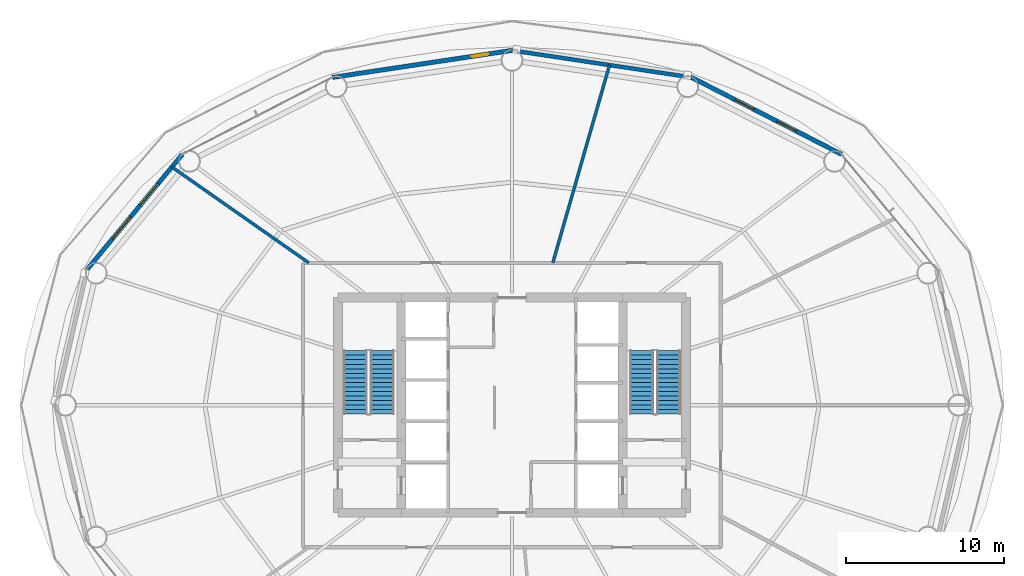
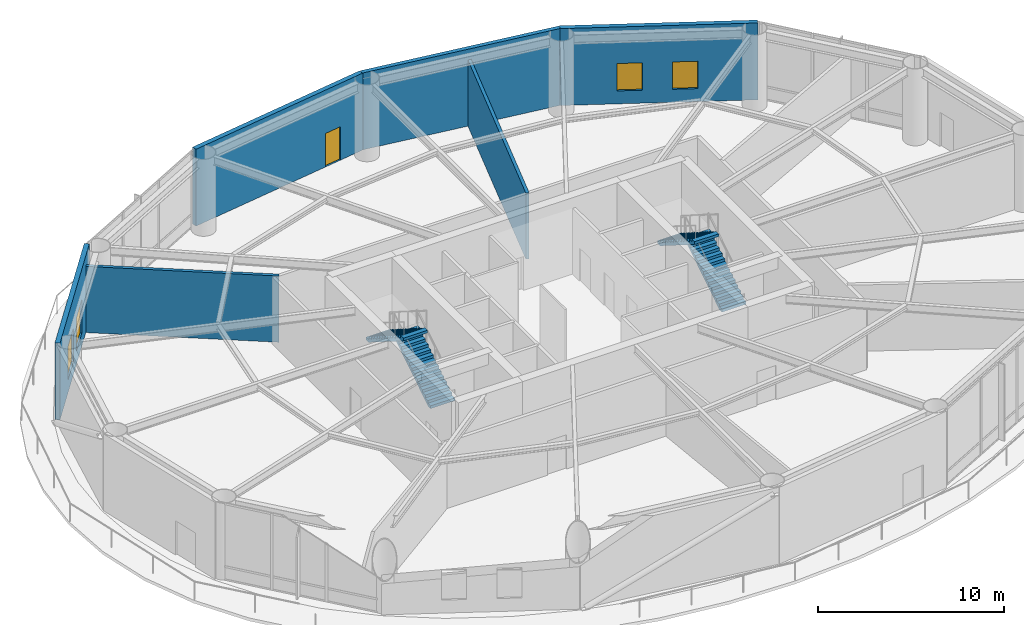
# One storey, part 22 of 25: 6 walls, 4 stair flights, 4 windows, 1 door, 5 openings, 2 elements without a shape of their own.
"""IFC4 building model written with IfcOpenShell, lengths in metres."""

from ifc_helpers import new_model, si_unit, direction, frame, frame_2d, origin, place, context, subcontext, project, spatial, polyline, rectangle, outline, extrude, material, layer, layer_set, type_object, element, fill, aggregate, save


model = new_model("IFC4")

# Units and contexts
model_context = context("Model", 3, precision=1e-05, world=origin(), true_north=direction((0.0, 1.0)))
body_context = subcontext(model_context, "Body", "Model", "MODEL_VIEW")
ifc_project = project(units=[si_unit("LENGTHUNIT", "METRE"), si_unit("AREAUNIT", "SQUARE_METRE"), si_unit("VOLUMEUNIT", "CUBIC_METRE"), si_unit("PLANEANGLEUNIT", "RADIAN"), si_unit("MASSUNIT", "GRAM", prefix="KILO")], contexts=[model_context])

# Site, building, storey
site_placement = place(None, origin())
site = spatial("IfcSite", under=ifc_project, at=site_placement, CompositionType="ELEMENT")
building_placement = place(site_placement, origin())
building = spatial("IfcBuilding", under=site, at=building_placement, Name="Sarneth Arch Tower", CompositionType="ELEMENT")
storey_placement = place(building_placement, frame((0.0, 0.0, 134.39990234375)))
storey = spatial("IfcBuildingStorey", under=building, at=storey_placement, Name="L34", CompositionType="ELEMENT", Elevation=134.39990234375)

# Walls
ifc_material_1 = material(Name="Double steel-stud corridor fire wall", Category="steel")
ifc_layer_1 = layer(ifc_material_1, 0.18994140625)
ifc_layer_set_1 = layer_set([ifc_layer_1], Name="Double steel-stud corridor fire wall")
wall_type_1 = type_object("IfcWallType", Name="WALL-CORR-190", PredefinedType="PARTITIONING", material=ifc_layer_set_1)
wall_1_placement = place(storey_placement, frame((54.165771484375, 63.502685546875, 0.0), z_axis=(0.0, 0.0, 1.0), x_axis=(-0.275628372198, -0.961264271904, 0.0)))
element("IfcWall", 1, at=wall_1_placement, inside=storey, type_object=wall_type_1, Name="L34 Interior partition W-L34-TP-014", PredefinedType="PARTITIONING", context=body_context, shape_type="SweptSolid", body=[
    extrude(rectangle(XDim=13.006591796875, YDim=0.18994140625, at=frame_2d((6.50341796875, 0.0))), origin(), (0.0, 0.0, 1.0), 4.35009765625),
])
wall_2_placement = place(storey_placement, frame((35.146728515625, 51.0, 0.0), z_axis=(0.0, 0.0, 1.0), x_axis=(-0.819150459782, 0.573578699255, 0.0)))
element("IfcWall", 2, at=wall_2_placement, inside=storey, type_object=wall_type_1, Name="L34 Interior partition W-L34-TP-015", PredefinedType="PARTITIONING", context=body_context, shape_type="SweptSolid", body=[
    extrude(rectangle(XDim=10.56103515625, YDim=0.18994140625, at=frame_2d((5.280517578125, 0.0))), origin(), (0.0, 0.0, 1.0), 4.35009765625),
])
ifc_material_2 = material(Name="Extruded terracotta rainscreen on Concrete C40/50 backing", Category="masonry")
ifc_layer_2 = layer(ifc_material_2, 0.25)
ifc_layer_set_2 = layer_set([ifc_layer_2], Name="Extruded terracotta rainscreen on Concrete C40/50 backing")
wall_type_2 = type_object("IfcWallType", Name="WALL-EXT-SPAND-250", PredefinedType="SOLIDWALL", material=ifc_layer_set_2)
wall_3_placement = place(storey_placement, frame((59.351318359375, 62.72265625, 0.0), z_axis=(0.0, 0.0, 1.0), x_axis=(-0.988877774656, 0.148730450117, 0.0)))
element("IfcWall", 3, at=wall_3_placement, inside=storey, type_object=wall_type_2, Name="L34 Terracotta perimeter wall 04", PredefinedType="SOLIDWALL", context=body_context, shape_type="SweptSolid", body=[
    extrude(rectangle(XDim=11.47900390625, YDim=0.25, at=frame_2d((5.739501953125, 0.0))), origin(), (0.0, 0.0, 1.0), 5.050048828125),
])

# Wall, openings, windows
ifc_material_3 = material(Name="Extruded terracotta rainscreen on Concrete C40/50 backing", Category="masonry")
ifc_layer_3 = layer(ifc_material_3, 0.280029296875)
ifc_layer_set_3 = layer_set([ifc_layer_3], Name="Extruded terracotta rainscreen on Concrete C40/50 backing")
wall_type_3 = type_object("IfcWallType", Name="WALL-EXT-TERRA-280", PredefinedType="SOLIDWALL", material=ifc_layer_set_3)
wall_4_placement = place(storey_placement, frame((68.840087890625, 57.8603515625, 0.0), z_axis=(0.0, 0.0, 1.0), x_axis=(-0.889959505023, 0.45603955905, 0.0)))
wall_4 = element("IfcWall", 4, at=wall_4_placement, inside=storey, type_object=wall_type_3, Name="L34 Terracotta perimeter wall 03", PredefinedType="SOLIDWALL", context=body_context, shape_type="SweptSolid", body=[
    extrude(rectangle(XDim=10.662109375, YDim=0.280029296875, at=frame_2d((5.3310546875, 0.0))), origin(), (0.0, 0.0, 1.0), 5.050048828125),
])
opening_1_placement = place(wall_4_placement, frame((3.230712890625, 0.0, 0.85009765625)))
opening_1 = element("IfcOpeningElement", 5, at=opening_1_placement, cuts=wall_4, Name="Opening W-08", PredefinedType="OPENING", context=body_context, shape_type="SweptSolid", body=[
    extrude(rectangle(XDim=1.35009765625, YDim=1.800048828125, at=frame_2d((0.675048828125, 0.89990234375))), frame((0.0, 0.14990234375, 0.0), z_axis=(0.0, -1.0, 0.0), x_axis=(1.0, 0.0, 0.0)), (0.0, 0.0, 1.0), 0.300048828125),
])
opening_2_placement = place(wall_4_placement, frame((6.220703125, 0.0, 0.85009765625)))
opening_2 = element("IfcOpeningElement", 6, at=opening_2_placement, cuts=wall_4, Name="Opening W-08", PredefinedType="OPENING", context=body_context, shape_type="SweptSolid", body=[
    extrude(rectangle(XDim=1.35009765625, YDim=1.800048828125, at=frame_2d((0.675048828125, 0.89990234375))), frame((0.0, 0.14990234375, 0.0), z_axis=(0.0, -1.0, 0.0), x_axis=(1.0, 0.0, 0.0)), (0.0, 0.0, 1.0), 0.300048828125),
])
ifc_material_4 = material(Name="Thermally broken Aluminium 6063-T6 and low-e laminated IGU", Category="aluminium")
window_type_1 = type_object("IfcWindowType", Name="WIN-TWR-1350x1800", PartitioningType="SINGLE_PANEL", PredefinedType="WINDOW", material=ifc_material_4)
window_1_placement = place(opening_1_placement, origin())
window_1 = element("IfcWindow", 7, at=window_1_placement, inside=storey, type_object=window_type_1, Name="L34 Exterior window 03A", OverallHeight=1.800048828125, OverallWidth=1.35009765625, PartitioningType="SINGLE_PANEL", PredefinedType="WINDOW", context=body_context, shape_type="SweptSolid", body=[
    extrude(rectangle(XDim=1.35009765625, YDim=1.800048828125, at=frame_2d((0.675048828125, 0.89990234375))), frame((0.0, 0.030029296875, 0.0), z_axis=(0.0, -1.0, 0.0), x_axis=(1.0, 0.0, 0.0)), (0.0, 0.0, 1.0), 0.06005859375),
])
fill(opening_1, window_1)
window_2_placement = place(opening_2_placement, origin())
window_2 = element("IfcWindow", 8, at=window_2_placement, inside=storey, type_object=window_type_1, Name="L34 Exterior window 03B", OverallHeight=1.800048828125, OverallWidth=1.35009765625, PartitioningType="SINGLE_PANEL", PredefinedType="WINDOW", context=body_context, shape_type="SweptSolid", body=[
    extrude(rectangle(XDim=1.35009765625, YDim=1.800048828125, at=frame_2d((0.675048828125, 0.89990234375))), frame((0.0, 0.030029296875, 0.0), z_axis=(0.0, -1.0, 0.0), x_axis=(1.0, 0.0, 0.0)), (0.0, 0.0, 1.0), 0.06005859375),
])
fill(opening_2, window_2)

# Wall, opening, door
wall_5_placement = place(storey_placement, frame((48.0, 64.429931640625, 0.0), z_axis=(0.0, 0.0, 1.0), x_axis=(-0.988877774656, -0.148730450117, 0.0)))
wall_5 = element("IfcWall", 9, at=wall_5_placement, inside=storey, type_object=wall_type_3, Name="L34 Terracotta perimeter wall 05", PredefinedType="SOLIDWALL", context=body_context, shape_type="SweptSolid", body=[
    extrude(rectangle(XDim=11.47900390625, YDim=0.280029296875, at=frame_2d((5.739501953125, 0.0))), origin(), (0.0, 0.0, 1.0), 5.050048828125),
])
opening_3_placement = place(wall_5_placement, frame((1.523681640625, 0.0, 0.0)))
opening_3 = element("IfcOpeningElement", 10, at=opening_3_placement, cuts=wall_5, Name="Opening BD-4", PredefinedType="OPENING", context=body_context, shape_type="SweptSolid", body=[
    extrude(rectangle(XDim=1.050048828125, YDim=2.199951171875, at=frame_2d((0.52490234375, 1.10009765625))), frame((0.0, 0.14990234375, 0.0), z_axis=(0.0, -1.0, 0.0), x_axis=(1.0, 0.0, 0.0)), (0.0, 0.0, 1.0), 0.300048828125),
])
ifc_material_5 = material(Name="Thermally broken Aluminium 6063-T6 and laminated safety glass", Category="aluminium")
door_type = type_object("IfcDoorType", Name="DR-BALC-GLZ-1050", OperationType="SINGLE_SWING_RIGHT", PredefinedType="DOOR", material=ifc_material_5)
door_placement = place(opening_3_placement, origin())
door = element("IfcDoor", 11, at=door_placement, inside=storey, type_object=door_type, Name="L34 Balcony glazed door 05", OperationType="SINGLE_SWING_RIGHT", OverallHeight=2.199951171875, OverallWidth=1.050048828125, PredefinedType="DOOR", context=body_context, shape_type="SweptSolid", body=[
    extrude(rectangle(XDim=1.050048828125, YDim=2.199951171875, at=frame_2d((0.52490234375, 1.10009765625))), frame((0.0, 0.02490234375, 0.0), z_axis=(0.0, -1.0, 0.0), x_axis=(1.0, 0.0, 0.0)), (0.0, 0.0, 1.0), 0.050048828125),
])
fill(opening_3, door)

# Wall, openings, windows
wall_6_placement = place(storey_placement, frame((27.159912109375, 57.8603515625, 0.0), z_axis=(0.0, 0.0, 1.0), x_axis=(-0.637505817448, -0.770445541696, 0.0)))
wall_6 = element("IfcWall", 12, at=wall_6_placement, inside=storey, type_object=wall_type_3, Name="L34 Terracotta perimeter wall 07", PredefinedType="SOLIDWALL", context=body_context, shape_type="SweptSolid", body=[
    extrude(rectangle(XDim=9.445068359375, YDim=0.280029296875, at=frame_2d((4.72265625, 0.0))), origin(), (0.0, 0.0, 1.0), 5.050048828125),
])
opening_4_placement = place(wall_6_placement, frame((2.396484375, 0.0, 0.85009765625)))
opening_4 = element("IfcOpeningElement", 13, at=opening_4_placement, cuts=wall_6, Name="Opening W-04", PredefinedType="OPENING", context=body_context, shape_type="SweptSolid", body=[
    extrude(rectangle(XDim=1.800048828125, YDim=2.199951171875, at=frame_2d((0.89990234375, 1.10009765625))), frame((0.0, 0.14990234375, 0.0), z_axis=(0.0, -1.0, 0.0), x_axis=(1.0, 0.0, 0.0)), (0.0, 0.0, 1.0), 0.300048828125),
])
opening_5_placement = place(wall_6_placement, frame((5.1318359375, 0.0, 0.85009765625)))
opening_5 = element("IfcOpeningElement", 14, at=opening_5_placement, cuts=wall_6, Name="Opening W-04", PredefinedType="OPENING", context=body_context, shape_type="SweptSolid", body=[
    extrude(rectangle(XDim=1.800048828125, YDim=2.199951171875, at=frame_2d((0.89990234375, 1.10009765625))), frame((0.0, 0.14990234375, 0.0), z_axis=(0.0, -1.0, 0.0), x_axis=(1.0, 0.0, 0.0)), (0.0, 0.0, 1.0), 0.300048828125),
])
ifc_material_6 = material(Name="Thermally broken Aluminium 6063-T6 and low-e laminated IGU", Category="aluminium")
window_type_2 = type_object("IfcWindowType", Name="WIN-TWR-1800x2200", PartitioningType="DOUBLE_PANEL_VERTICAL", PredefinedType="WINDOW", material=ifc_material_6)
window_3_placement = place(opening_4_placement, origin())
window_3 = element("IfcWindow", 15, at=window_3_placement, inside=storey, type_object=window_type_2, Name="L34 Exterior window 07A", OverallHeight=2.199951171875, OverallWidth=1.800048828125, PartitioningType="SINGLE_PANEL", PredefinedType="WINDOW", context=body_context, shape_type="SweptSolid", body=[
    extrude(rectangle(XDim=1.800048828125, YDim=2.199951171875, at=frame_2d((0.89990234375, 1.10009765625))), frame((0.0, 0.030029296875, 0.0), z_axis=(0.0, -1.0, 0.0), x_axis=(1.0, 0.0, 0.0)), (0.0, 0.0, 1.0), 0.06005859375),
])
fill(opening_4, window_3)
window_4_placement = place(opening_5_placement, origin())
window_4 = element("IfcWindow", 16, at=window_4_placement, inside=storey, type_object=window_type_2, Name="L34 Exterior window 07B", OverallHeight=2.199951171875, OverallWidth=1.800048828125, PartitioningType="SINGLE_PANEL", PredefinedType="WINDOW", context=body_context, shape_type="SweptSolid", body=[
    extrude(rectangle(XDim=1.800048828125, YDim=2.199951171875, at=frame_2d((0.89990234375, 1.10009765625))), frame((0.0, 0.030029296875, 0.0), z_axis=(0.0, -1.0, 0.0), x_axis=(1.0, 0.0, 0.0)), (0.0, 0.0, 1.0), 0.06005859375),
])
fill(opening_5, window_4)

# Stair, stair flights
ifc_material_7 = material(Name="Concrete C50/60", Category="concrete")
stair_type = type_object("IfcStairType", Name="STAIR-CORE-RC", PredefinedType="HALF_TURN_STAIR", material=ifc_material_7)
stair_1_placement = place(storey_placement, origin())
stair_1 = element("IfcStair", 17, at=stair_1_placement, inside=storey, type_object=stair_type, Name="L34 Core Exit Stair 1", PredefinedType="HALF_TURN_STAIR")
ifc_material_8 = material(Name="Concrete C50/60", Category="concrete")
stair_flight_type = type_object("IfcStairFlightType", Name="FLIGHT-RC-1500", PredefinedType="STRAIGHT", material=ifc_material_8)
stair_flight_1_placement = place(storey_placement, frame((39.800048828125, 41.449951171875, 0.0), z_axis=(0.0, 0.0, 1.0), x_axis=(0.0, 1.0, 0.0)))
stair_flight_1 = element("IfcStairFlight", 18, at=stair_flight_1_placement, type_object=stair_flight_type, Name="ST-1 flight 1", NumberOfRisers=15, NumberOfTreads=14, PredefinedType="STRAIGHT", RiserHeight=0.18, TreadLength=0.285, context=body_context, shape_type="SweptSolid", body=[
    extrude(outline(polyline([(0.0, 0.0), (0.0, 0.179931640625), (0.284912109375, 0.179931640625), (0.284912109375, 0.360107421875), (0.570068359375, 0.360107421875), (0.570068359375, 0.5400390625), (0.85498046875, 0.5400390625), (0.85498046875, 0.719970703125), (1.139892578125, 0.719970703125), (1.139892578125, 0.89990234375), (1.425048828125, 0.89990234375), (1.425048828125, 1.080078125), (1.7099609375, 1.080078125), (1.7099609375, 1.260009765625), (1.9951171875, 1.260009765625), (1.9951171875, 1.43994140625), (2.280029296875, 1.43994140625), (2.280029296875, 1.6201171875), (2.56494140625, 1.6201171875), (2.56494140625, 1.800048828125), (2.85009765625, 1.800048828125), (2.85009765625, 1.97998046875), (3.135009765625, 1.97998046875), (3.135009765625, 2.159912109375), (3.419921875, 2.159912109375), (3.419921875, 2.340087890625), (3.705078125, 2.340087890625), (3.705078125, 2.52001953125), (3.989990234375, 2.52001953125), (3.989990234375, 2.699951171875), (3.989990234375, 2.3427734375), (0.28076171875, 0.0), (0.0, 0.0)])), frame((0.0, 0.75, 0.0), z_axis=(0.0, -1.0, 0.0), x_axis=(1.0, 0.0, 0.0)), (0.0, 0.0, 1.0), 1.5),
])
stair_flight_2_placement = place(storey_placement, frame((38.10009765625, 45.43994140625, 2.7001953125), z_axis=(0.0, 0.0, 1.0), x_axis=(0.0, -1.0, 0.0)))
stair_flight_2 = element("IfcStairFlight", 19, at=stair_flight_2_placement, type_object=stair_flight_type, Name="ST-1 flight 2", NumberOfRisers=15, NumberOfTreads=14, PredefinedType="STRAIGHT", RiserHeight=0.18, TreadLength=0.285, context=body_context, shape_type="SweptSolid", body=[
    extrude(outline(polyline([(0.0, 0.0), (0.0, 0.179931640625), (0.284912109375, 0.179931640625), (0.284912109375, 0.360107421875), (0.570068359375, 0.360107421875), (0.570068359375, 0.5400390625), (0.85498046875, 0.5400390625), (0.85498046875, 0.719970703125), (1.139892578125, 0.719970703125), (1.139892578125, 0.89990234375), (1.425048828125, 0.89990234375), (1.425048828125, 1.080078125), (1.7099609375, 1.080078125), (1.7099609375, 1.260009765625), (1.9951171875, 1.260009765625), (1.9951171875, 1.43994140625), (2.280029296875, 1.43994140625), (2.280029296875, 1.6201171875), (2.56494140625, 1.6201171875), (2.56494140625, 1.800048828125), (2.85009765625, 1.800048828125), (2.85009765625, 1.97998046875), (3.135009765625, 1.97998046875), (3.135009765625, 2.159912109375), (3.419921875, 2.159912109375), (3.419921875, 2.340087890625), (3.705078125, 2.340087890625), (3.705078125, 2.52001953125), (3.989990234375, 2.52001953125), (3.989990234375, 2.699951171875), (3.989990234375, 2.3427734375), (0.28076171875, 0.0), (0.0, 0.0)])), frame((0.0, 0.75, 0.0), z_axis=(0.0, -1.0, 0.0), x_axis=(1.0, 0.0, 0.0)), (0.0, 0.0, 1.0), 1.5),
])
aggregate(stair_1, [stair_flight_1, stair_flight_2])

stair_2_placement = place(storey_placement, origin())
stair_2 = element("IfcStair", 20, at=stair_2_placement, inside=storey, type_object=stair_type, Name="L34 Core Exit Stair 2", PredefinedType="HALF_TURN_STAIR")
stair_flight_3_placement = place(storey_placement, frame((57.89990234375, 41.449951171875, 0.0), z_axis=(0.0, 0.0, 1.0), x_axis=(0.0, 1.0, 0.0)))
stair_flight_3 = element("IfcStairFlight", 21, at=stair_flight_3_placement, type_object=stair_flight_type, Name="ST-2 flight 1", NumberOfRisers=15, NumberOfTreads=14, PredefinedType="STRAIGHT", RiserHeight=0.18, TreadLength=0.285, context=body_context, shape_type="SweptSolid", body=[
    extrude(outline(polyline([(0.0, 0.0), (0.0, 0.179931640625), (0.284912109375, 0.179931640625), (0.284912109375, 0.360107421875), (0.570068359375, 0.360107421875), (0.570068359375, 0.5400390625), (0.85498046875, 0.5400390625), (0.85498046875, 0.719970703125), (1.139892578125, 0.719970703125), (1.139892578125, 0.89990234375), (1.425048828125, 0.89990234375), (1.425048828125, 1.080078125), (1.7099609375, 1.080078125), (1.7099609375, 1.260009765625), (1.9951171875, 1.260009765625), (1.9951171875, 1.43994140625), (2.280029296875, 1.43994140625), (2.280029296875, 1.6201171875), (2.56494140625, 1.6201171875), (2.56494140625, 1.800048828125), (2.85009765625, 1.800048828125), (2.85009765625, 1.97998046875), (3.135009765625, 1.97998046875), (3.135009765625, 2.159912109375), (3.419921875, 2.159912109375), (3.419921875, 2.340087890625), (3.705078125, 2.340087890625), (3.705078125, 2.52001953125), (3.989990234375, 2.52001953125), (3.989990234375, 2.699951171875), (3.989990234375, 2.3427734375), (0.28076171875, 0.0), (0.0, 0.0)])), frame((0.0, 0.75, 0.0), z_axis=(0.0, -1.0, 0.0), x_axis=(1.0, 0.0, 0.0)), (0.0, 0.0, 1.0), 1.5),
])
stair_flight_4_placement = place(storey_placement, frame((56.199951171875, 45.43994140625, 2.7001953125), z_axis=(0.0, 0.0, 1.0), x_axis=(0.0, -1.0, 0.0)))
stair_flight_4 = element("IfcStairFlight", 22, at=stair_flight_4_placement, type_object=stair_flight_type, Name="ST-2 flight 2", NumberOfRisers=15, NumberOfTreads=14, PredefinedType="STRAIGHT", RiserHeight=0.18, TreadLength=0.285, context=body_context, shape_type="SweptSolid", body=[
    extrude(outline(polyline([(0.0, 0.0), (0.0, 0.179931640625), (0.284912109375, 0.179931640625), (0.284912109375, 0.360107421875), (0.570068359375, 0.360107421875), (0.570068359375, 0.5400390625), (0.85498046875, 0.5400390625), (0.85498046875, 0.719970703125), (1.139892578125, 0.719970703125), (1.139892578125, 0.89990234375), (1.425048828125, 0.89990234375), (1.425048828125, 1.080078125), (1.7099609375, 1.080078125), (1.7099609375, 1.260009765625), (1.9951171875, 1.260009765625), (1.9951171875, 1.43994140625), (2.280029296875, 1.43994140625), (2.280029296875, 1.6201171875), (2.56494140625, 1.6201171875), (2.56494140625, 1.800048828125), (2.85009765625, 1.800048828125), (2.85009765625, 1.97998046875), (3.135009765625, 1.97998046875), (3.135009765625, 2.159912109375), (3.419921875, 2.159912109375), (3.419921875, 2.340087890625), (3.705078125, 2.340087890625), (3.705078125, 2.52001953125), (3.989990234375, 2.52001953125), (3.989990234375, 2.699951171875), (3.989990234375, 2.3427734375), (0.28076171875, 0.0), (0.0, 0.0)])), frame((0.0, 0.75, 0.0), z_axis=(0.0, -1.0, 0.0), x_axis=(1.0, 0.0, 0.0)), (0.0, 0.0, 1.0), 1.5),
])
aggregate(stair_2, [stair_flight_3, stair_flight_4])

save(model, "model.ifc")
